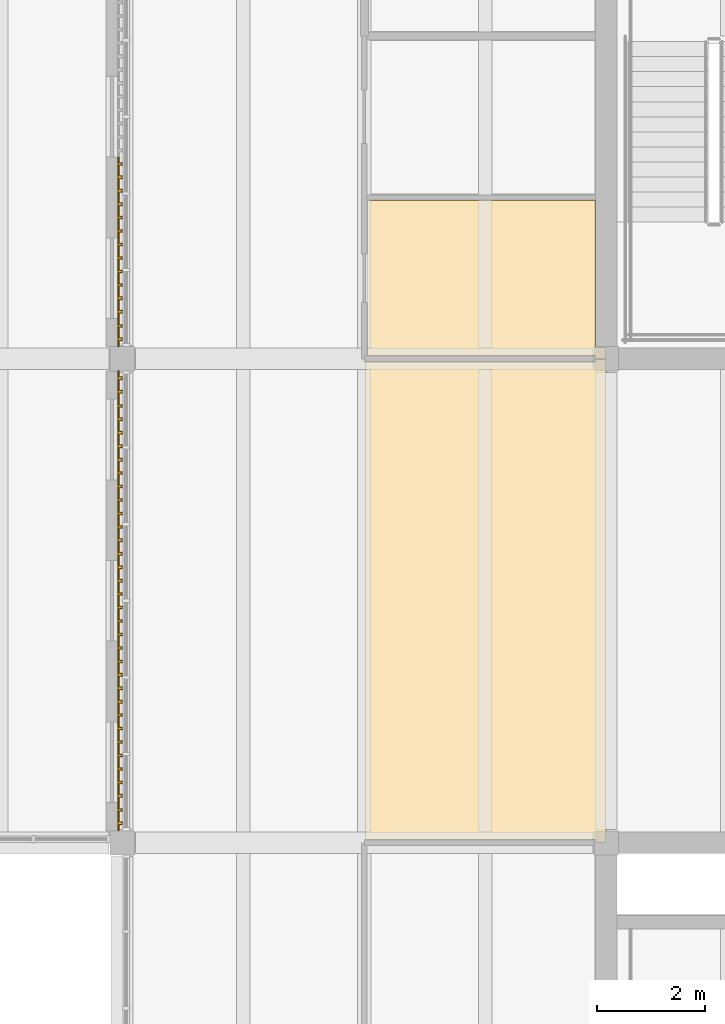
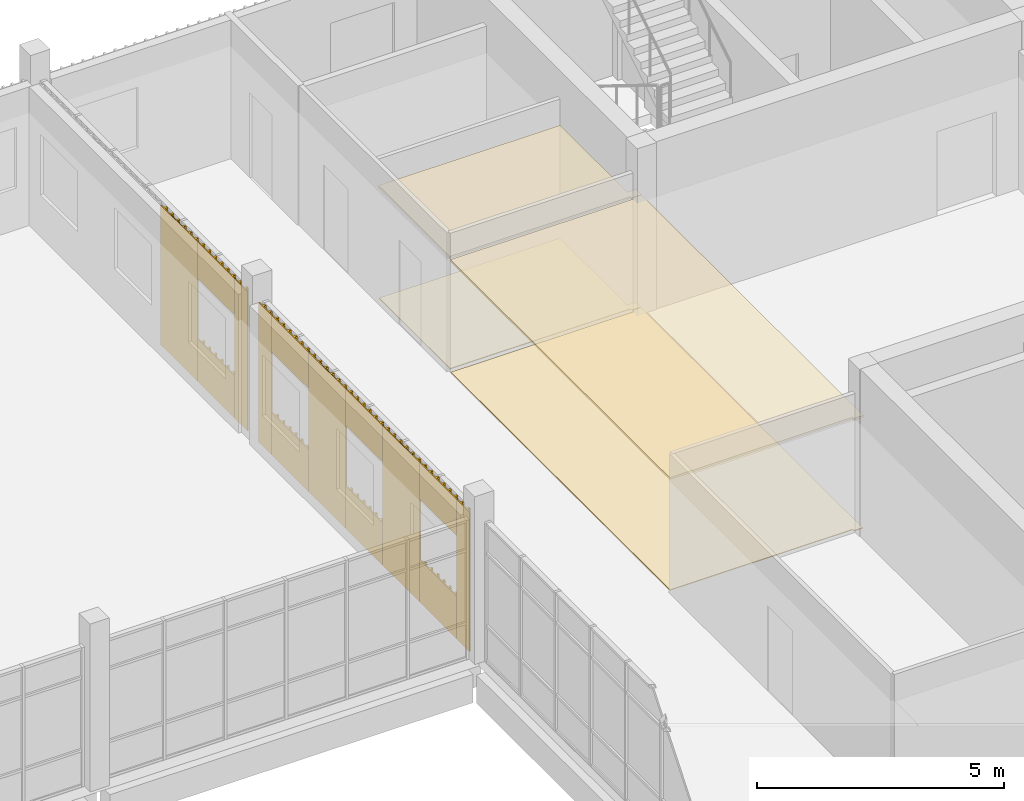
# One storey, part 79 of 88: 18 coverings.
"""IFC4 building model written with IfcOpenShell, lengths in metres."""

from ifc_helpers import new_model, si_unit, direction, frame, origin, place, context, subcontext, project, spatial, polyline, outline, extrude, source, transform, mapped, material, layer, layer_set, type_object, element, save


model = new_model("IFC4")

# Units and contexts
model_context = context("Model", 3, precision=1e-05, world=origin(), true_north=direction((0.0, 1.0)))
body_context = subcontext(model_context, "Body", "Model", "MODEL_VIEW")
ifc_project = project(units=[si_unit("LENGTHUNIT", "METRE"), si_unit("AREAUNIT", "SQUARE_METRE"), si_unit("VOLUMEUNIT", "CUBIC_METRE"), si_unit("PLANEANGLEUNIT", "RADIAN"), si_unit("MASSUNIT", "GRAM", prefix="KILO")], contexts=[model_context])

# Site, building, storey
site_placement = place(None, origin())
site = spatial("IfcSite", under=ifc_project, at=site_placement, CompositionType="ELEMENT")
building_placement = place(site_placement, origin())
building = spatial("IfcBuilding", under=site, at=building_placement, Name="Merrow Basin Faculty of Sciences", CompositionType="ELEMENT")
storey_placement = place(building_placement, frame((0.0, 0.0, 9.0)))
storey = spatial("IfcBuildingStorey", under=building, at=storey_placement, Name="L02", CompositionType="ELEMENT", Elevation=9.0)

# Coverings
ifc_material_1 = material(Name="Carpet tile floor")
ifc_layer_1 = layer(ifc_material_1, 0.02001953125)
ifc_layer_set_1 = layer_set([ifc_layer_1], Name="Carpet tile floor")
covering_type_1 = type_object("IfcCoveringType", Name="Carpet tile floor", PredefinedType="FLOORING", material=ifc_layer_set_1)
covering_1_placement = place(storey_placement, origin())
element("IfcCovering", 1, at=covering_1_placement, inside=storey, type_object=covering_type_1, Name="Floor finish L02-C-021", PredefinedType="FLOORING", context=body_context, shape_type="SweptSolid", body=[
    extrude(outline(polyline([(62.989990234375, 123.989990234375), (62.989990234375, 115.010009765625), (62.784912109375, 115.010009765625), (62.784912109375, 115.06005859375), (58.510009765625, 115.06005859375), (58.510009765625, 123.93994140625), (62.784912109375, 123.93994140625), (62.784912109375, 123.989990234375), (62.989990234375, 123.989990234375)])), origin(), (0.0, 0.0, 1.0), 0.02001953125),
])
ifc_material_2 = material(Name="Ceramic floor tile")
ifc_layer_2 = layer(ifc_material_2, 0.02001953125)
ifc_layer_set_2 = layer_set([ifc_layer_2], Name="Ceramic floor tile")
covering_type_2 = type_object("IfcCoveringType", Name="Ceramic floor tile", PredefinedType="FLOORING", material=ifc_layer_set_2)
covering_2_placement = place(storey_placement, origin())
element("IfcCovering", 2, at=covering_2_placement, inside=storey, type_object=covering_type_2, Name="Floor finish L02-C-031", PredefinedType="FLOORING", context=body_context, shape_type="SweptSolid", body=[
    extrude(outline(polyline([(62.989990234375, 124.010009765625), (62.784912109375, 124.010009765625), (62.784912109375, 124.06005859375), (58.56005859375, 124.06005859375), (58.56005859375, 126.93994140625), (62.7900390625, 126.93994140625), (62.7900390625, 124.215087890625), (62.989990234375, 124.215087890625), (62.989990234375, 124.010009765625)])), origin(), (0.0, 0.0, 1.0), 0.02001953125),
])
ifc_material_3 = material(Name="Mineral fibre ceiling tile")
ifc_layer_3 = layer(ifc_material_3, 0.050048828125)
ifc_layer_set_3 = layer_set([ifc_layer_3], Name="Suspended acoustic ceiling tile")
covering_type_3 = type_object("IfcCoveringType", Name="Suspended acoustic ceiling tile", PredefinedType="CEILING", material=ifc_layer_set_3)
covering_3_placement = place(storey_placement, frame((0.0, 0.0, 2.75)))
element("IfcCovering", 3, at=covering_3_placement, inside=storey, type_object=covering_type_3, Name="Ceiling L02-C-021", PredefinedType="CEILING", context=body_context, shape_type="SweptSolid", body=[
    extrude(outline(polyline([(63.0, 124.0), (63.0, 115.0), (62.77490234375, 115.0), (62.77490234375, 115.050048828125), (58.5, 115.050048828125), (58.5, 123.949951171875), (62.77490234375, 123.949951171875), (62.77490234375, 124.0), (63.0, 124.0)])), origin(), (0.0, 0.0, 1.0), 0.050048828125),
])
covering_4_placement = place(storey_placement, frame((0.0, 0.0, 2.75)))
element("IfcCovering", 4, at=covering_4_placement, inside=storey, type_object=covering_type_3, Name="Ceiling L02-C-031", PredefinedType="CEILING", context=body_context, shape_type="SweptSolid", body=[
    extrude(outline(polyline([(63.0, 124.0), (62.77490234375, 124.0), (62.77490234375, 124.050048828125), (58.550048828125, 124.050048828125), (58.550048828125, 126.949951171875), (62.800048828125, 126.949951171875), (62.800048828125, 124.22509765625), (63.0, 124.22509765625), (63.0, 124.0)])), origin(), (0.0, 0.0, 1.0), 0.050048828125),
])
ifc_material_4 = material(Name="Larch timber", Category="wood")
ifc_layer_4 = layer(ifc_material_4, 0.0849609375)
ifc_layer_set_4 = layer_set([ifc_layer_4], Name="Larch batten cladding 85")
covering_type_4 = type_object("IfcCoveringType", Name="Larch batten cladding 85", PredefinedType="CLADDING", material=ifc_layer_set_4)
shared_shape_1 = source(origin(), body_context, "Body", "SweptSolid", [
    extrude(outline(polyline([(0.0, 0.0), (1.5, 0.0), (1.5, 0.02490234375), (1.39990234375, 0.02490234375), (1.39990234375, 0.0849609375), (1.35009765625, 0.0849609375), (1.35009765625, 0.02490234375), (1.14990234375, 0.02490234375), (1.14990234375, 0.0849609375), (1.10009765625, 0.0849609375), (1.10009765625, 0.02490234375), (0.89990234375, 0.02490234375), (0.89990234375, 0.0849609375), (0.85009765625, 0.0849609375), (0.85009765625, 0.02490234375), (0.64990234375, 0.02490234375), (0.64990234375, 0.0849609375), (0.60009765625, 0.0849609375), (0.60009765625, 0.02490234375), (0.39990234375, 0.02490234375), (0.39990234375, 0.0849609375), (0.35009765625, 0.0849609375), (0.35009765625, 0.02490234375), (0.14990234375, 0.02490234375), (0.14990234375, 0.0849609375), (0.10009765625, 0.0849609375), (0.10009765625, 0.02490234375), (0.0, 0.02490234375), (0.0, 0.0)])), origin(), (0.0, 0.0, 1.0), 0.89990234375),
])
for number, where, z_axis, x_axis, name in (
    (5, (53.9150390625, 123.25, 2.550048828125), (0.0, 0.0, 1.0), (0.0, -1.0, 0.0), "Larch batten cladding"),
    (6, (53.9150390625, 120.25, 2.550048828125), (0.0, 0.0, 1.0), (0.0, -1.0, 0.0), "Larch batten cladding"),
    (7, (53.9150390625, 117.25, 2.550048828125), (0.0, 0.0, 1.0), (0.0, -1.0, 0.0), "Larch batten cladding"),
    (8, (53.9150390625, 126.25, 2.550048828125), (0.0, 0.0, 1.0), (0.0, -1.0, 0.0), "Larch batten cladding"),
):
    element("IfcCovering", number, at=place(storey_placement, frame(where, z_axis=z_axis, x_axis=x_axis)), inside=storey, type_object=covering_type_4, Name=name, PredefinedType="CLADDING", context=body_context, shape_type="MappedRepresentation", body=[
        mapped(shared_shape_1, transform((0.0, 0.0, 0.0), scale=1.0)),
    ])
shared_shape_2 = source(origin(), body_context, "Body", "SweptSolid", [
    extrude(outline(polyline([(0.0, 0.0), (0.52490234375, 0.0), (0.52490234375, 0.02490234375), (0.412109375, 0.02490234375), (0.412109375, 0.0849609375), (0.362060546875, 0.0849609375), (0.362060546875, 0.02490234375), (0.162109375, 0.02490234375), (0.162109375, 0.0849609375), (0.112060546875, 0.0849609375), (0.112060546875, 0.02490234375), (0.0, 0.02490234375), (0.0, 0.0)])), origin(), (0.0, 0.0, 1.0), 3.449951171875),
])
for number, where, z_axis, x_axis, name in (
    (9, (53.9150390625, 123.77490234375, 0.0), (0.0, 0.0, 1.0), (0.0, -1.0, 0.0), "Larch batten cladding"),
    (10, (53.9150390625, 115.75, 0.0), (0.0, 0.0, 1.0), (0.0, -1.0, 0.0), "Larch batten cladding"),
    (11, (53.9150390625, 124.75, 0.0), (0.0, 0.0, 1.0), (0.0, -1.0, 0.0), "Larch batten cladding"),
):
    element("IfcCovering", number, at=place(storey_placement, frame(where, z_axis=z_axis, x_axis=x_axis)), inside=storey, type_object=covering_type_4, Name=name, PredefinedType="CLADDING", context=body_context, shape_type="MappedRepresentation", body=[
        mapped(shared_shape_2, transform((0.0, 0.0, 0.0), scale=1.0)),
    ])
shared_shape_3 = source(origin(), body_context, "Body", "SweptSolid", [
    extrude(outline(polyline([(0.0, 0.0), (1.5, 0.0), (1.5, 0.02490234375), (1.39990234375, 0.02490234375), (1.39990234375, 0.0849609375), (1.35009765625, 0.0849609375), (1.35009765625, 0.02490234375), (1.14990234375, 0.02490234375), (1.14990234375, 0.0849609375), (1.10009765625, 0.0849609375), (1.10009765625, 0.02490234375), (0.89990234375, 0.02490234375), (0.89990234375, 0.0849609375), (0.85009765625, 0.0849609375), (0.85009765625, 0.02490234375), (0.64990234375, 0.02490234375), (0.64990234375, 0.0849609375), (0.60009765625, 0.0849609375), (0.60009765625, 0.02490234375), (0.39990234375, 0.02490234375), (0.39990234375, 0.0849609375), (0.35009765625, 0.0849609375), (0.35009765625, 0.02490234375), (0.14990234375, 0.02490234375), (0.14990234375, 0.0849609375), (0.10009765625, 0.0849609375), (0.10009765625, 0.02490234375), (0.0, 0.02490234375), (0.0, 0.0)])), origin(), (0.0, 0.0, 1.0), 1.050048828125),
])
for number, where, z_axis, x_axis, name in (
    (12, (53.9150390625, 123.25, 0.0), (0.0, 0.0, 1.0), (0.0, -1.0, 0.0), "Larch batten cladding"),
    (13, (53.9150390625, 120.25, 0.0), (0.0, 0.0, 1.0), (0.0, -1.0, 0.0), "Larch batten cladding"),
    (14, (53.9150390625, 117.25, 0.0), (0.0, 0.0, 1.0), (0.0, -1.0, 0.0), "Larch batten cladding"),
    (15, (53.9150390625, 126.25, 0.0), (0.0, 0.0, 1.0), (0.0, -1.0, 0.0), "Larch batten cladding"),
):
    element("IfcCovering", number, at=place(storey_placement, frame(where, z_axis=z_axis, x_axis=x_axis)), inside=storey, type_object=covering_type_4, Name=name, PredefinedType="CLADDING", context=body_context, shape_type="MappedRepresentation", body=[
        mapped(shared_shape_3, transform((0.0, 0.0, 0.0), scale=1.0)),
    ])
shared_shape_4 = source(origin(), body_context, "Body", "SweptSolid", [
    extrude(outline(polyline([(0.0, 0.0), (1.5, 0.0), (1.5, 0.02490234375), (1.39990234375, 0.02490234375), (1.39990234375, 0.0849609375), (1.35009765625, 0.0849609375), (1.35009765625, 0.02490234375), (1.14990234375, 0.02490234375), (1.14990234375, 0.0849609375), (1.10009765625, 0.0849609375), (1.10009765625, 0.02490234375), (0.89990234375, 0.02490234375), (0.89990234375, 0.0849609375), (0.85009765625, 0.0849609375), (0.85009765625, 0.02490234375), (0.64990234375, 0.02490234375), (0.64990234375, 0.0849609375), (0.60009765625, 0.0849609375), (0.60009765625, 0.02490234375), (0.39990234375, 0.02490234375), (0.39990234375, 0.0849609375), (0.35009765625, 0.0849609375), (0.35009765625, 0.02490234375), (0.14990234375, 0.02490234375), (0.14990234375, 0.0849609375), (0.10009765625, 0.0849609375), (0.10009765625, 0.02490234375), (0.0, 0.02490234375), (0.0, 0.0)])), origin(), (0.0, 0.0, 1.0), 3.449951171875),
])
for number, where, z_axis, x_axis, name in (
    (16, (53.9150390625, 121.75, 0.0), (0.0, 0.0, 1.0), (0.0, -1.0, 0.0), "Larch batten cladding"),
    (17, (53.9150390625, 118.75, 0.0), (0.0, 0.0, 1.0), (0.0, -1.0, 0.0), "Larch batten cladding"),
    (18, (53.9150390625, 127.75, 0.0), (0.0, 0.0, 1.0), (0.0, -1.0, 0.0), "Larch batten cladding"),
):
    element("IfcCovering", number, at=place(storey_placement, frame(where, z_axis=z_axis, x_axis=x_axis)), inside=storey, type_object=covering_type_4, Name=name, PredefinedType="CLADDING", context=body_context, shape_type="MappedRepresentation", body=[
        mapped(shared_shape_4, transform((0.0, 0.0, 0.0), scale=1.0)),
    ])

save(model, "model.ifc")
